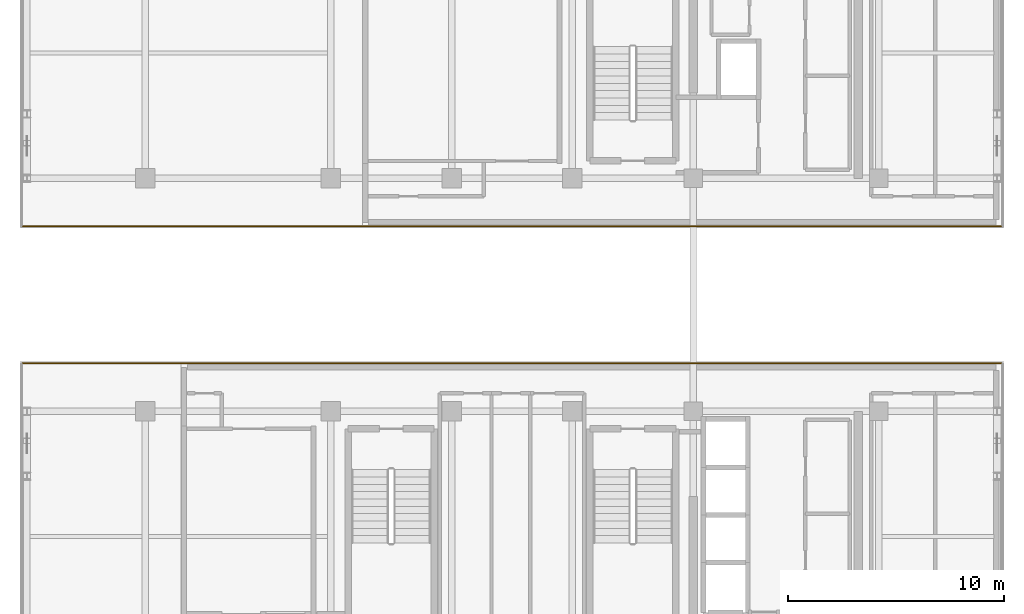
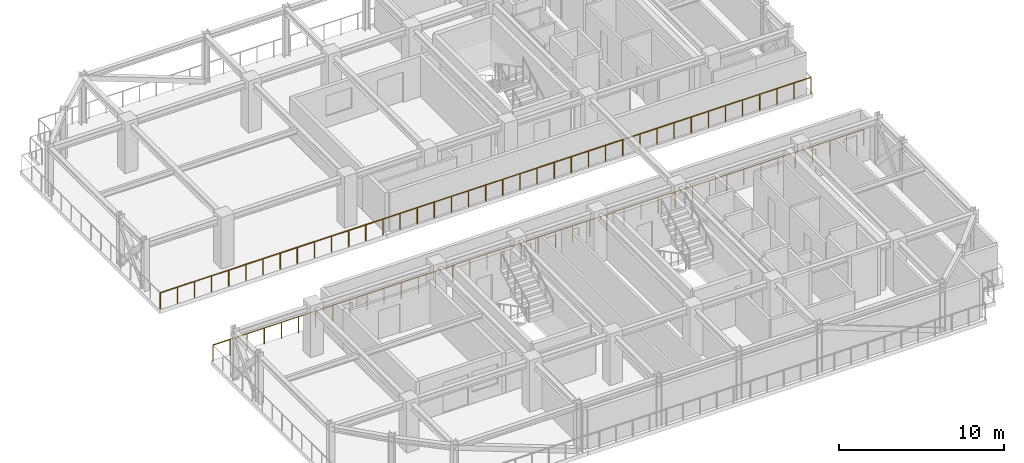
# One storey, part 11 of 14: 2 railings.
"""IFC4 building model written with IfcOpenShell, lengths in metres."""

from ifc_helpers import new_model, si_unit, direction, frame, origin, origin_2d, place, context, subcontext, project, spatial, circle, extrude, material, type_object, element, save


model = new_model("IFC4")

# Units and contexts
model_context = context("Model", 3, precision=1e-05, world=origin(), true_north=direction((0.0, 1.0)))
body_context = subcontext(model_context, "Body", "Model", "MODEL_VIEW")
ifc_project = project(units=[si_unit("LENGTHUNIT", "METRE"), si_unit("AREAUNIT", "SQUARE_METRE"), si_unit("VOLUMEUNIT", "CUBIC_METRE"), si_unit("PLANEANGLEUNIT", "RADIAN"), si_unit("MASSUNIT", "GRAM", prefix="KILO")], contexts=[model_context])

# Site, building, storey
site_placement = place(None, origin())
site = spatial("IfcSite", under=ifc_project, at=site_placement, CompositionType="ELEMENT")
building_placement = place(site_placement, origin())
building = spatial("IfcBuilding", under=site, at=building_placement, Name="Nahalor Promenade Grand Hotel", CompositionType="ELEMENT")
storey_placement = place(building_placement, frame((0.0, 0.0, 300.35009765625)))
storey = spatial("IfcBuildingStorey", under=building, at=storey_placement, Name="L77", CompositionType="ELEMENT", Elevation=300.35009765625)

# Railings
ifc_material = material(Name="Anodised Bronze Aluminium EN AW-6063 T6", Category="aluminium")
railing_type = type_object("IfcRailingType", Name="Bronze Balcony Guardrail 1200 mm", PredefinedType="GUARDRAIL", material=ifc_material)
railing_1_placement = place(storey_placement, frame((22.719970703125, -3.179931640625, 0.0)))
element("IfcRailing", 1, at=railing_1_placement, inside=storey, type_object=railing_type, Name="L77 Edge Guardrail RL-L77-WP-S-7", PredefinedType="GUARDRAIL", context=body_context, shape_type="SweptSolid", body=[
    extrude(circle(Radius=0.024048, at=origin_2d()), frame((0.0, 0.0, 1.17578125), z_axis=(-1.0, 0.0, 0.0), x_axis=(0.0, -1.0, 0.0)), (0.0, 0.0, 1.0), 45.43994140625),
    extrude(circle(Radius=0.020996, at=origin_2d()), origin(), (0.0, 0.0, 1.0), 1.14990234375),
    extrude(circle(Radius=0.020996, at=origin_2d()), frame((-1.19580078125, 0.0, 0.0)), (0.0, 0.0, 1.0), 1.14990234375),
    extrude(circle(Radius=0.020996, at=origin_2d()), frame((-2.3916015625, 0.0, 0.0)), (0.0, 0.0, 1.0), 1.14990234375),
    extrude(circle(Radius=0.020996, at=origin_2d()), frame((-3.58740234375, 0.0, 0.0)), (0.0, 0.0, 1.0), 1.14990234375),
    extrude(circle(Radius=0.020996, at=origin_2d()), frame((-4.783203125, 0.0, 0.0)), (0.0, 0.0, 1.0), 1.14990234375),
    extrude(circle(Radius=0.020996, at=origin_2d()), frame((-5.97900390625, 0.0, 0.0)), (0.0, 0.0, 1.0), 1.14990234375),
    extrude(circle(Radius=0.020996, at=origin_2d()), frame((-7.1748046875, 0.0, 0.0)), (0.0, 0.0, 1.0), 1.14990234375),
    extrude(circle(Radius=0.020996, at=origin_2d()), frame((-8.37060546875, 0.0, 0.0)), (0.0, 0.0, 1.0), 1.14990234375),
    extrude(circle(Radius=0.020996, at=origin_2d()), frame((-9.56640625, 0.0, 0.0)), (0.0, 0.0, 1.0), 1.14990234375),
    extrude(circle(Radius=0.020996, at=origin_2d()), frame((-10.76220703125, 0.0, 0.0)), (0.0, 0.0, 1.0), 1.14990234375),
    extrude(circle(Radius=0.020996, at=origin_2d()), frame((-11.957763671875, 0.0, 0.0)), (0.0, 0.0, 1.0), 1.14990234375),
    extrude(circle(Radius=0.020996, at=origin_2d()), frame((-13.153564453125, 0.0, 0.0)), (0.0, 0.0, 1.0), 1.14990234375),
    extrude(circle(Radius=0.020996, at=origin_2d()), frame((-14.349365234375, 0.0, 0.0)), (0.0, 0.0, 1.0), 1.14990234375),
    extrude(circle(Radius=0.020996, at=origin_2d()), frame((-15.545166015625, 0.0, 0.0)), (0.0, 0.0, 1.0), 1.14990234375),
    extrude(circle(Radius=0.020996, at=origin_2d()), frame((-16.740966796875, 0.0, 0.0)), (0.0, 0.0, 1.0), 1.14990234375),
    extrude(circle(Radius=0.020996, at=origin_2d()), frame((-17.936767578125, 0.0, 0.0)), (0.0, 0.0, 1.0), 1.14990234375),
    extrude(circle(Radius=0.020996, at=origin_2d()), frame((-19.132568359375, 0.0, 0.0)), (0.0, 0.0, 1.0), 1.14990234375),
    extrude(circle(Radius=0.020996, at=origin_2d()), frame((-20.328369140625, 0.0, 0.0)), (0.0, 0.0, 1.0), 1.14990234375),
    extrude(circle(Radius=0.020996, at=origin_2d()), frame((-21.524169921875, 0.0, 0.0)), (0.0, 0.0, 1.0), 1.14990234375),
    extrude(circle(Radius=0.020996, at=origin_2d()), frame((-22.719970703125, 0.0, 0.0)), (0.0, 0.0, 1.0), 1.14990234375),
    extrude(circle(Radius=0.020996, at=origin_2d()), frame((-23.915771484375, 0.0, 0.0)), (0.0, 0.0, 1.0), 1.14990234375),
    extrude(circle(Radius=0.020996, at=origin_2d()), frame((-25.111572265625, 0.0, 0.0)), (0.0, 0.0, 1.0), 1.14990234375),
    extrude(circle(Radius=0.020996, at=origin_2d()), frame((-26.307373046875, 0.0, 0.0)), (0.0, 0.0, 1.0), 1.14990234375),
    extrude(circle(Radius=0.020996, at=origin_2d()), frame((-27.503173828125, 0.0, 0.0)), (0.0, 0.0, 1.0), 1.14990234375),
    extrude(circle(Radius=0.020996, at=origin_2d()), frame((-28.698974609375, 0.0, 0.0)), (0.0, 0.0, 1.0), 1.14990234375),
    extrude(circle(Radius=0.020996, at=origin_2d()), frame((-29.894775390625, 0.0, 0.0)), (0.0, 0.0, 1.0), 1.14990234375),
    extrude(circle(Radius=0.020996, at=origin_2d()), frame((-31.090576171875, 0.0, 0.0)), (0.0, 0.0, 1.0), 1.14990234375),
    extrude(circle(Radius=0.020996, at=origin_2d()), frame((-32.286376953125, 0.0, 0.0)), (0.0, 0.0, 1.0), 1.14990234375),
    extrude(circle(Radius=0.020996, at=origin_2d()), frame((-33.482177734375, 0.0, 0.0)), (0.0, 0.0, 1.0), 1.14990234375),
    extrude(circle(Radius=0.020996, at=origin_2d()), frame((-34.677734375, 0.0, 0.0)), (0.0, 0.0, 1.0), 1.14990234375),
    extrude(circle(Radius=0.020996, at=origin_2d()), frame((-35.87353515625, 0.0, 0.0)), (0.0, 0.0, 1.0), 1.14990234375),
    extrude(circle(Radius=0.020996, at=origin_2d()), frame((-37.0693359375, 0.0, 0.0)), (0.0, 0.0, 1.0), 1.14990234375),
    extrude(circle(Radius=0.020996, at=origin_2d()), frame((-38.26513671875, 0.0, 0.0)), (0.0, 0.0, 1.0), 1.14990234375),
    extrude(circle(Radius=0.020996, at=origin_2d()), frame((-39.4609375, 0.0, 0.0)), (0.0, 0.0, 1.0), 1.14990234375),
    extrude(circle(Radius=0.020996, at=origin_2d()), frame((-40.65673828125, 0.0, 0.0)), (0.0, 0.0, 1.0), 1.14990234375),
    extrude(circle(Radius=0.020996, at=origin_2d()), frame((-41.8525390625, 0.0, 0.0)), (0.0, 0.0, 1.0), 1.14990234375),
    extrude(circle(Radius=0.020996, at=origin_2d()), frame((-43.04833984375, 0.0, 0.0)), (0.0, 0.0, 1.0), 1.14990234375),
    extrude(circle(Radius=0.020996, at=origin_2d()), frame((-44.244140625, 0.0, 0.0)), (0.0, 0.0, 1.0), 1.14990234375),
    extrude(circle(Radius=0.020996, at=origin_2d()), frame((-45.43994140625, 0.0, 0.0)), (0.0, 0.0, 1.0), 1.14990234375),
])
railing_2_placement = place(storey_placement, frame((-22.719970703125, 3.179931640625, 0.0)))
element("IfcRailing", 2, at=railing_2_placement, inside=storey, type_object=railing_type, Name="L77 Edge Guardrail RL-L77-WP-N-1", PredefinedType="GUARDRAIL", context=body_context, shape_type="SweptSolid", body=[
    extrude(circle(Radius=0.024048, at=origin_2d()), frame((0.0, 0.0, 1.17578125), z_axis=(1.0, 0.0, 0.0), x_axis=(0.0, 1.0, 0.0)), (0.0, 0.0, 1.0), 45.43994140625),
    extrude(circle(Radius=0.020996, at=origin_2d()), origin(), (0.0, 0.0, 1.0), 1.14990234375),
    extrude(circle(Radius=0.020996, at=origin_2d()), frame((1.19580078125, 0.0, 0.0)), (0.0, 0.0, 1.0), 1.14990234375),
    extrude(circle(Radius=0.020996, at=origin_2d()), frame((2.3916015625, 0.0, 0.0)), (0.0, 0.0, 1.0), 1.14990234375),
    extrude(circle(Radius=0.020996, at=origin_2d()), frame((3.58740234375, 0.0, 0.0)), (0.0, 0.0, 1.0), 1.14990234375),
    extrude(circle(Radius=0.020996, at=origin_2d()), frame((4.783203125, 0.0, 0.0)), (0.0, 0.0, 1.0), 1.14990234375),
    extrude(circle(Radius=0.020996, at=origin_2d()), frame((5.97900390625, 0.0, 0.0)), (0.0, 0.0, 1.0), 1.14990234375),
    extrude(circle(Radius=0.020996, at=origin_2d()), frame((7.1748046875, 0.0, 0.0)), (0.0, 0.0, 1.0), 1.14990234375),
    extrude(circle(Radius=0.020996, at=origin_2d()), frame((8.37060546875, 0.0, 0.0)), (0.0, 0.0, 1.0), 1.14990234375),
    extrude(circle(Radius=0.020996, at=origin_2d()), frame((9.56640625, 0.0, 0.0)), (0.0, 0.0, 1.0), 1.14990234375),
    extrude(circle(Radius=0.020996, at=origin_2d()), frame((10.76220703125, 0.0, 0.0)), (0.0, 0.0, 1.0), 1.14990234375),
    extrude(circle(Radius=0.020996, at=origin_2d()), frame((11.957763671875, 0.0, 0.0)), (0.0, 0.0, 1.0), 1.14990234375),
    extrude(circle(Radius=0.020996, at=origin_2d()), frame((13.153564453125, 0.0, 0.0)), (0.0, 0.0, 1.0), 1.14990234375),
    extrude(circle(Radius=0.020996, at=origin_2d()), frame((14.349365234375, 0.0, 0.0)), (0.0, 0.0, 1.0), 1.14990234375),
    extrude(circle(Radius=0.020996, at=origin_2d()), frame((15.545166015625, 0.0, 0.0)), (0.0, 0.0, 1.0), 1.14990234375),
    extrude(circle(Radius=0.020996, at=origin_2d()), frame((16.740966796875, 0.0, 0.0)), (0.0, 0.0, 1.0), 1.14990234375),
    extrude(circle(Radius=0.020996, at=origin_2d()), frame((17.936767578125, 0.0, 0.0)), (0.0, 0.0, 1.0), 1.14990234375),
    extrude(circle(Radius=0.020996, at=origin_2d()), frame((19.132568359375, 0.0, 0.0)), (0.0, 0.0, 1.0), 1.14990234375),
    extrude(circle(Radius=0.020996, at=origin_2d()), frame((20.328369140625, 0.0, 0.0)), (0.0, 0.0, 1.0), 1.14990234375),
    extrude(circle(Radius=0.020996, at=origin_2d()), frame((21.524169921875, 0.0, 0.0)), (0.0, 0.0, 1.0), 1.14990234375),
    extrude(circle(Radius=0.020996, at=origin_2d()), frame((22.719970703125, 0.0, 0.0)), (0.0, 0.0, 1.0), 1.14990234375),
    extrude(circle(Radius=0.020996, at=origin_2d()), frame((23.915771484375, 0.0, 0.0)), (0.0, 0.0, 1.0), 1.14990234375),
    extrude(circle(Radius=0.020996, at=origin_2d()), frame((25.111572265625, 0.0, 0.0)), (0.0, 0.0, 1.0), 1.14990234375),
    extrude(circle(Radius=0.020996, at=origin_2d()), frame((26.307373046875, 0.0, 0.0)), (0.0, 0.0, 1.0), 1.14990234375),
    extrude(circle(Radius=0.020996, at=origin_2d()), frame((27.503173828125, 0.0, 0.0)), (0.0, 0.0, 1.0), 1.14990234375),
    extrude(circle(Radius=0.020996, at=origin_2d()), frame((28.698974609375, 0.0, 0.0)), (0.0, 0.0, 1.0), 1.14990234375),
    extrude(circle(Radius=0.020996, at=origin_2d()), frame((29.894775390625, 0.0, 0.0)), (0.0, 0.0, 1.0), 1.14990234375),
    extrude(circle(Radius=0.020996, at=origin_2d()), frame((31.090576171875, 0.0, 0.0)), (0.0, 0.0, 1.0), 1.14990234375),
    extrude(circle(Radius=0.020996, at=origin_2d()), frame((32.286376953125, 0.0, 0.0)), (0.0, 0.0, 1.0), 1.14990234375),
    extrude(circle(Radius=0.020996, at=origin_2d()), frame((33.482177734375, 0.0, 0.0)), (0.0, 0.0, 1.0), 1.14990234375),
    extrude(circle(Radius=0.020996, at=origin_2d()), frame((34.677734375, 0.0, 0.0)), (0.0, 0.0, 1.0), 1.14990234375),
    extrude(circle(Radius=0.020996, at=origin_2d()), frame((35.87353515625, 0.0, 0.0)), (0.0, 0.0, 1.0), 1.14990234375),
    extrude(circle(Radius=0.020996, at=origin_2d()), frame((37.0693359375, 0.0, 0.0)), (0.0, 0.0, 1.0), 1.14990234375),
    extrude(circle(Radius=0.020996, at=origin_2d()), frame((38.26513671875, 0.0, 0.0)), (0.0, 0.0, 1.0), 1.14990234375),
    extrude(circle(Radius=0.020996, at=origin_2d()), frame((39.4609375, 0.0, 0.0)), (0.0, 0.0, 1.0), 1.14990234375),
    extrude(circle(Radius=0.020996, at=origin_2d()), frame((40.65673828125, 0.0, 0.0)), (0.0, 0.0, 1.0), 1.14990234375),
    extrude(circle(Radius=0.020996, at=origin_2d()), frame((41.8525390625, 0.0, 0.0)), (0.0, 0.0, 1.0), 1.14990234375),
    extrude(circle(Radius=0.020996, at=origin_2d()), frame((43.04833984375, 0.0, 0.0)), (0.0, 0.0, 1.0), 1.14990234375),
    extrude(circle(Radius=0.020996, at=origin_2d()), frame((44.244140625, 0.0, 0.0)), (0.0, 0.0, 1.0), 1.14990234375),
    extrude(circle(Radius=0.020996, at=origin_2d()), frame((45.43994140625, 0.0, 0.0)), (0.0, 0.0, 1.0), 1.14990234375),
])

save(model, "model.ifc")
